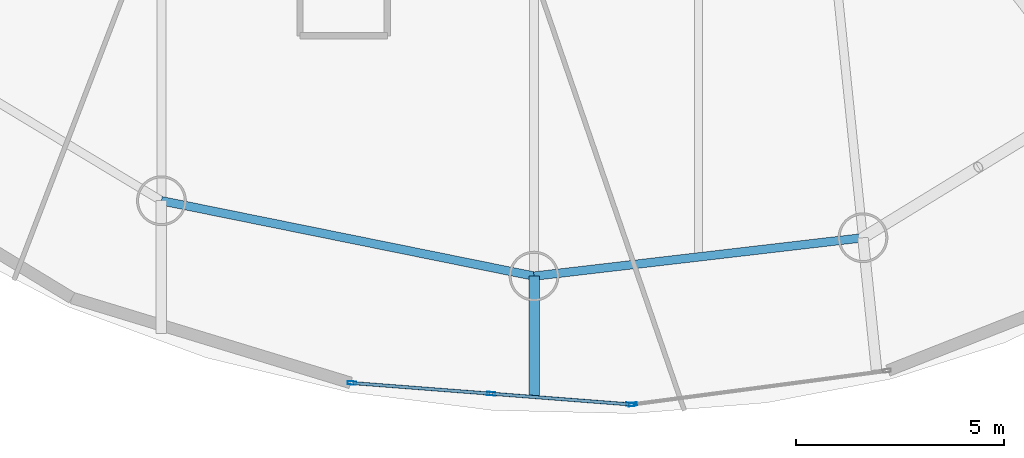
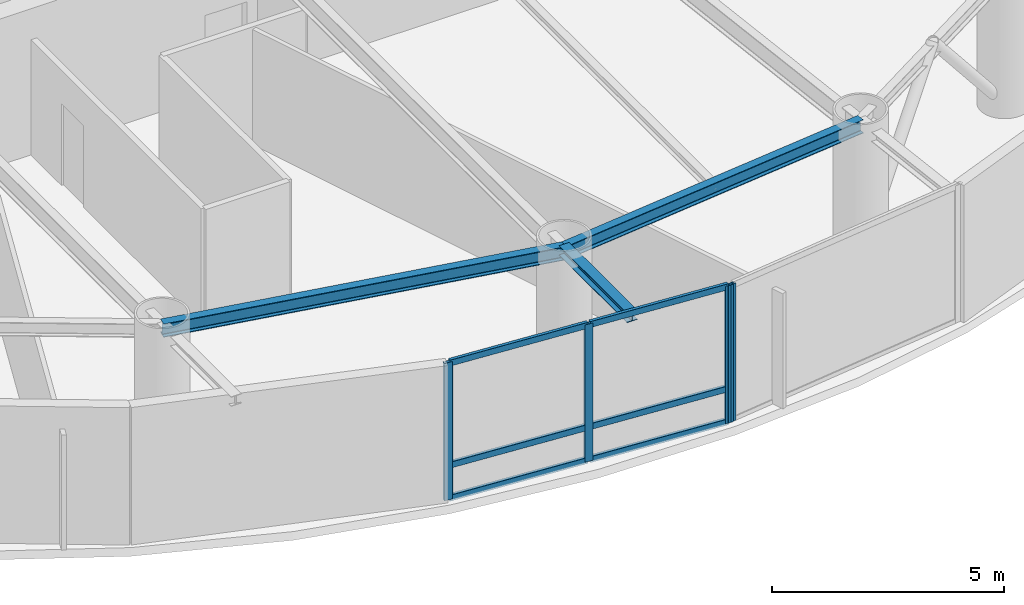
# One storey, part 2 of 21: 10 members, 3 beams, 2 elements without a shape of their own.
"""IFC4 building model written with IfcOpenShell, lengths in metres."""

import ifcopenshell
import ifcopenshell.guid

model = None  # the IFC model being written
_history = None  # IfcOwnerHistory: only IFC2X3 demands one
_inside = {}  # id of a spatial element -> (the spatial element, [elements in it])
_under = {}  # id of a project, library or spatial element -> (it, [spatial elements below it])
_declared = {}  # id of a project -> (the project, [libraries it declares])
_typed = {}  # id of a type object -> (the type object, [elements of that type])
_made_of = {}  # id of a material, layer set ... -> (it, [elements and type objects made of it])


def new_model(schema):
    """Start an empty IFC model of exactly this schema.

    Asked for "IFC4X3", IfcOpenShell would pick the latest addendum, in which some entities
    have other attributes; the version numbers below select the first issue.
    IFC2X3 requires an IfcOwnerHistory on every rooted entity: one is made here for all.
    """
    global model, _history
    if schema == "IFC4X3":
        model = ifcopenshell.file(schema_version=(4, 3, 0, 0))
    else:
        model = ifcopenshell.file(schema=schema)
    _inside.clear()
    _under.clear()
    _declared.clear()
    _typed.clear()
    _made_of.clear()
    _history = None
    if model.schema == "IFC2X3":
        org = make("IfcOrganization", Name="unknown")
        user = make(
            "IfcPersonAndOrganization",
            ThePerson=make("IfcPerson", FamilyName="unknown"),
            TheOrganization=org,
        )
        app = make(
            "IfcApplication",
            ApplicationDeveloper=org,
            Version="unknown",
            ApplicationFullName="unknown",
            ApplicationIdentifier="unknown",
        )
        _history = make(
            "IfcOwnerHistory",
            OwningUser=user,
            OwningApplication=app,
            ChangeAction="ADDED",
            CreationDate=0,
        )
    return model


def make(cls, **values):
    """One entity of the class cls with the attributes given. An attribute that is None is left unset."""
    return model.create_entity(
        cls, **{name: value for name, value in values.items() if value is not None}
    )


def rooted(cls, **values):
    """An entity with a GlobalId (a new one), such as an element, a storey or a relation."""
    return make(cls, GlobalId=ifcopenshell.guid.new(), OwnerHistory=_history, **values)


def si_unit(unit_type, name, prefix=None):
    """IfcSIUnit, for example si_unit("LENGTHUNIT", "METRE", prefix="MILLI")."""
    return make("IfcSIUnit", UnitType=unit_type, Prefix=prefix, Name=name)


def assignment(units):
    """IfcUnitAssignment: the units of a project."""
    return None if units is None else make("IfcUnitAssignment", Units=units)


def point(xyz):
    """IfcCartesianPoint."""
    return None if xyz is None else make("IfcCartesianPoint", Coordinates=xyz)


def direction(xyz):
    """IfcDirection."""
    return None if xyz is None else make("IfcDirection", DirectionRatios=xyz)


def frame(location, z_axis=None, x_axis=None):
    """IfcAxis2Placement3D, a coordinate frame: its origin and axes. An axis left out is left unset."""
    return make(
        "IfcAxis2Placement3D",
        Location=point(location),
        Axis=direction(z_axis),
        RefDirection=direction(x_axis),
    )


def frame_2d(location, x_axis=None):
    """IfcAxis2Placement2D, a coordinate frame in the plane: its origin and x axis."""
    return make(
        "IfcAxis2Placement2D", Location=point(location), RefDirection=direction(x_axis)
    )


def origin():
    """The frame at (0, 0, 0) with its axes left unset."""
    return frame((0.0, 0.0, 0.0))


def origin_2d():
    """The frame at (0, 0) in the plane with its x axis left unset."""
    return frame_2d((0.0, 0.0))


def place(relative_to, where):
    """IfcLocalPlacement: puts the frame where relative to a parent placement (None: the world)."""
    return make(
        "IfcLocalPlacement", PlacementRelTo=relative_to, RelativePlacement=where
    )


def context(
    kind, dimensions, precision=None, world=None, true_north=None, identifier=None
):
    """IfcGeometricRepresentationContext, for example the 3D "Model" context."""
    return make(
        "IfcGeometricRepresentationContext",
        ContextIdentifier=identifier,
        ContextType=kind,
        CoordinateSpaceDimension=dimensions,
        Precision=precision,
        WorldCoordinateSystem=world,
        TrueNorth=true_north,
    )


def subcontext(parent, identifier, kind, view, scale=None):
    """IfcGeometricRepresentationSubContext, for example "Body" below "Model"."""
    return make(
        "IfcGeometricRepresentationSubContext",
        ContextIdentifier=identifier,
        ContextType=kind,
        ParentContext=parent,
        TargetScale=scale,
        TargetView=view,
    )


def project(units=None, contexts=None):
    """IfcProject with its units and contexts."""
    return rooted(
        "IfcProject",
        Name="project",
        RepresentationContexts=contexts,
        UnitsInContext=assignment(units),
    )


def spatial(cls, under=None, at=None, **own):
    """A site, building, storey or space (cls), placed at a placement, below another one or the project."""
    s = rooted(cls, ObjectPlacement=at, **own)
    if under is not None:
        _under.setdefault(under.id(), (under, []))[1].append(s)
    return s


def profile(cls, at=None, kind="AREA", **sizes):
    """A parametric profile (cls). Its sizes go by their IFC names, for example OverallWidth=200.0."""
    return make(cls, ProfileType=kind, Position=at, **sizes)


def hollow_rectangle(**sizes):
    """IfcRectangleHollowProfileDef."""
    return profile("IfcRectangleHollowProfileDef", **sizes)


def i_section(**sizes):
    """IfcIShapeProfileDef."""
    return profile("IfcIShapeProfileDef", **sizes)


def extrude(swept, where, along, depth):
    """IfcExtrudedAreaSolid: the profile swept, set in the frame where, extruded along a direction by depth."""
    return make(
        "IfcExtrudedAreaSolid",
        SweptArea=swept,
        Position=where,
        ExtrudedDirection=direction(along),
        Depth=depth,
    )


def shape(context_of_items, identifier, shape_type, items):
    """IfcShapeRepresentation: the items that make up one representation, for example the "Body"."""
    return make(
        "IfcShapeRepresentation",
        ContextOfItems=context_of_items,
        RepresentationIdentifier=identifier,
        RepresentationType=shape_type,
        Items=items,
    )


def material(Name=None, Category=None):
    """IfcMaterial."""
    return make("IfcMaterial", Name=Name, Category=Category)


def layer(
    of_material, thickness, ventilated=None, Name=None, Category=None, Priority=None
):
    """IfcMaterialLayer: one layer of a wall or slab, of a material (None: an air gap)."""
    return make(
        "IfcMaterialLayer",
        Material=of_material,
        LayerThickness=thickness,
        IsVentilated=ventilated,
        Name=Name,
        Category=Category,
        Priority=Priority,
    )


def layer_set(layers, Name=None):
    """IfcMaterialLayerSet."""
    return make("IfcMaterialLayerSet", MaterialLayers=layers, LayerSetName=Name)


def material_profile(
    of_material, cross_section, Name=None, Category=None, Priority=None
):
    """IfcMaterialProfile: a cross section and its material."""
    return make(
        "IfcMaterialProfile",
        Name=Name,
        Material=of_material,
        Profile=cross_section,
        Priority=Priority,
        Category=Category,
    )


def profile_set(profiles, Name=None, composite=None):
    """IfcMaterialProfileSet."""
    return make(
        "IfcMaterialProfileSet",
        Name=Name,
        MaterialProfiles=profiles,
        CompositeProfile=composite,
    )


def made_of(thing, what):
    """Note that an element or type object is made of a material, layer set ...; save() writes the relation."""
    if what is not None:
        _made_of.setdefault(what.id(), (what, []))[1].append(thing)
    return thing


def type_object(cls, material=None, **own):
    """A type object (cls), such as IfcWallType, which elements share."""
    return made_of(rooted(cls, **own), material)


def element(
    cls,
    number,
    at=None,
    inside=None,
    cuts=None,
    type_object=None,
    material=None,
    context=None,
    identifier="Body",
    shape_type=None,
    held_by="IfcProductDefinitionShape",
    body=None,
    shapes=None,
    **own,
):
    """One element of the class cls, such as IfcWall. Its Tag is "e" and its number.

    at: its placement. inside: the storey or other place that contains it. cuts: it is an
    opening in that element (IfcRelVoidsElement). A single representation is given by context,
    identifier, shape_type and body (its items); several are given by shapes. held_by: the class
    of the entity that holds the representations. save() writes the other relations.
    """
    e = rooted(cls, Tag="e%d" % number, ObjectPlacement=at, **own)
    if body is not None:
        shapes = [shape(context, identifier, shape_type, body)]
    if shapes is not None:
        e.Representation = make(held_by, Representations=shapes)
    if inside is not None:
        _inside.setdefault(inside.id(), (inside, []))[1].append(e)
    if cuts is not None:
        rooted(
            "IfcRelVoidsElement", RelatingBuildingElement=cuts, RelatedOpeningElement=e
        )
    if type_object is not None:
        _typed.setdefault(type_object.id(), (type_object, []))[1].append(e)
    return made_of(e, material)


def aggregate(whole, parts):
    """IfcRelAggregates: a whole, such as a stair, and the parts it consists of."""
    return rooted("IfcRelAggregates", RelatingObject=whole, RelatedObjects=parts)


def save(model, path):
    """Write the relations noted so far, then the file.

    IfcRelAggregates (storeys below a building ...), IfcRelContainedInSpatialStructure (elements
    in a storey), IfcRelDefinesByType, IfcRelAssociatesMaterial and IfcRelDeclares: one each for
    every whole, place, type object, material and project.
    """
    for whole, parts in _under.values():
        aggregate(whole, parts)
    for where, things in _inside.values():
        rooted(
            "IfcRelContainedInSpatialStructure",
            RelatedElements=things,
            RelatingStructure=where,
        )
    for kind, things in _typed.values():
        rooted("IfcRelDefinesByType", RelatedObjects=things, RelatingType=kind)
    for what, things in _made_of.values():
        rooted("IfcRelAssociatesMaterial", RelatedObjects=things, RelatingMaterial=what)
    for by, libraries in _declared.values():
        rooted("IfcRelDeclares", RelatingContext=by, RelatedDefinitions=libraries)
    model.write(path)


model = new_model("IFC4")

# Units and contexts
model_context = context("Model", 3, precision=1e-05, world=origin(), true_north=direction((0.0, 1.0)))
body_context = subcontext(model_context, "Body", "Model", "MODEL_VIEW")
ifc_project = project(units=[si_unit("LENGTHUNIT", "METRE"), si_unit("AREAUNIT", "SQUARE_METRE"), si_unit("VOLUMEUNIT", "CUBIC_METRE"), si_unit("PLANEANGLEUNIT", "RADIAN"), si_unit("MASSUNIT", "GRAM", prefix="KILO")], contexts=[model_context])

# Site, building, storey
site_placement = place(None, origin())
site = spatial("IfcSite", under=ifc_project, at=site_placement, CompositionType="ELEMENT")
building_placement = place(site_placement, origin())
building = spatial("IfcBuilding", under=site, at=building_placement, Name="Bramvorn Convention Spire", CompositionType="ELEMENT")
storey_placement = place(building_placement, frame((0.0, 0.0, 186.60009765625)))
storey = spatial("IfcBuildingStorey", under=building, at=storey_placement, Name="L47", CompositionType="ELEMENT", Elevation=186.60009765625)

# Beams
ifc_material_1 = material(Name="Steel CSA G40.21 Grade 350 (350W)", Category="steel")
ifc_material_profile_1 = material_profile(ifc_material_1, i_section(OverallWidth=0.25390625, OverallDepth=0.2529296875, WebThickness=0.008544921875, FlangeThickness=0.01416015625, FilletRadius=0.011962890625, at=origin_2d()))
ifc_profile_set_1 = profile_set([ifc_material_profile_1], Name="Steel CSA G40.21 Grade 350 (350W) - W250X73")
beam_type_1 = type_object("IfcBeamType", Name="BM-W250X73", PredefinedType="BEAM", material=ifc_profile_set_1)
beam_1_placement = place(storey_placement, frame((42.583740234375, 5.41162109375, 3.493408203125), z_axis=(0.0, -1.0, 0.0), x_axis=(1.0, 0.0, 0.0)))
element("IfcBeam", 1, at=beam_1_placement, inside=storey, type_object=beam_type_1, Name="L47 slab-edge cantilever tip beam MC15", PredefinedType="BEAM", context=body_context, shape_type="SweptSolid", body=[
    extrude(i_section(OverallWidth=0.25390625, OverallDepth=0.2529296875, WebThickness=0.008544921875, FlangeThickness=0.01416015625, FilletRadius=0.011962890625, at=origin_2d()), origin(), (0.0, 0.0, 1.0), 2.935302734375),
])
ifc_material_profile_2 = material_profile(ifc_material_1, i_section(OverallWidth=0.205078125, OverallDepth=0.35400390625, WebThickness=0.009521484375, FlangeThickness=0.016845703125, FilletRadius=0.014892578125, at=origin_2d()))
ifc_profile_set_2 = profile_set([ifc_material_profile_2], Name="Steel CSA G40.21 Grade 350 (350W) - W360X79")
beam_type_2 = type_object("IfcBeamType", Name="BM-W360X79", PredefinedType="JOIST", material=ifc_profile_set_2)
beam_2_placement = place(storey_placement, frame((33.61083984375, 7.227783203125, 3.44287109375), z_axis=(0.980124701676, -0.198382381187, 0.0), x_axis=(0.198382381187, 0.980124701676, 0.0)))
element("IfcBeam", 2, at=beam_2_placement, inside=storey, type_object=beam_type_2, Name="L47 mega-column ring beam 14", PredefinedType="JOIST", context=body_context, shape_type="SweptSolid", body=[
    extrude(i_section(OverallWidth=0.205078125, OverallDepth=0.35400390625, WebThickness=0.009521484375, FlangeThickness=0.016845703125, FilletRadius=0.014892578125, at=origin_2d()), origin(), (0.0, 0.0, 1.0), 9.15478515625),
])
beam_3_placement = place(storey_placement, frame((42.583740234375, 5.41162109375, 3.44287109375), z_axis=(0.993256148339, 0.115940604561, 0.0), x_axis=(-0.115940604561, 0.993256148339, 0.0)))
element("IfcBeam", 3, at=beam_3_placement, inside=storey, type_object=beam_type_2, Name="L47 mega-column ring beam 15", PredefinedType="JOIST", context=body_context, shape_type="SweptSolid", body=[
    extrude(i_section(OverallWidth=0.205078125, OverallDepth=0.35400390625, WebThickness=0.009521484375, FlangeThickness=0.016845703125, FilletRadius=0.014892578125, at=origin_2d()), origin(), (0.0, 0.0, 1.0), 7.974365234375),
])

# Curtain wall, members
ifc_material_2 = material(Name="Anodised Bronze Unitised Curtain Wall", Category="aluminium")
ifc_layer = layer(ifc_material_2, 0.179931640625)
ifc_layer_set = layer_set([ifc_layer], Name="Anodised Bronze Unitised Curtain Wall - CW-OFF-FRIT")
curtain_wall_type = type_object("IfcCurtainWallType", Name="CW-OFF-FRIT", PredefinedType="USERDEFINED", material=ifc_layer_set)
curtain_wall_1_placement = place(storey_placement, origin())
curtain_wall_1 = element("IfcCurtainWall", 4, at=curtain_wall_1_placement, inside=storey, type_object=curtain_wall_type, Name="L47 fritted glass curtain wall 21", ObjectType="UNITISED CURTAIN WALL", PredefinedType="USERDEFINED")
ifc_material_3 = material(Name="Anodised Bronze Aluminium 6063-T6", Category="aluminium")
ifc_material_profile_3 = material_profile(ifc_material_3, hollow_rectangle(XDim=0.080078125, YDim=0.199951171875, WallThickness=0.00390625, InnerFilletRadius=0.0009765625, OuterFilletRadius=0.00390625, at=origin_2d()))
ifc_profile_set_3 = profile_set([ifc_material_profile_3], Name="Anodised Bronze Aluminium 6063-T6 - CWM80X200")
member_type_1 = type_object("IfcMemberType", Name="CW-MUL-180", PredefinedType="MULLION", material=ifc_profile_set_3)
member_1_placement = place(storey_placement, frame((44.903076171875, 2.322509765625, 0.0), z_axis=(0.0, 0.0, 1.0), x_axis=(-0.07665930368, -0.997057345973, 0.0)))
member_1 = element("IfcMember", 5, at=member_1_placement, type_object=member_type_1, Name="CW3 mullion 1", PredefinedType="MULLION", context=body_context, shape_type="SweptSolid", body=[
    extrude(hollow_rectangle(XDim=0.080078125, YDim=0.199951171875, WallThickness=0.00390625, InnerFilletRadius=0.0009765625, OuterFilletRadius=0.00390625, at=origin_2d()), origin(), (0.0, 0.0, 1.0), 3.619873046875),
])
member_2_placement = place(storey_placement, frame((41.550537109375, 2.580322265625, 0.0), z_axis=(0.0, 0.0, 1.0), x_axis=(-0.07665930368, -0.997057345973, 0.0)))
member_2 = element("IfcMember", 6, at=member_2_placement, type_object=member_type_1, Name="CW3 mullion 2", PredefinedType="MULLION", context=body_context, shape_type="SweptSolid", body=[
    extrude(hollow_rectangle(XDim=0.080078125, YDim=0.199951171875, WallThickness=0.00390625, InnerFilletRadius=0.0009765625, OuterFilletRadius=0.00390625, at=origin_2d()), origin(), (0.0, 0.0, 1.0), 3.619873046875),
])
member_3_placement = place(storey_placement, frame((38.1982421875, 2.838134765625, 0.0), z_axis=(0.0, 0.0, 1.0), x_axis=(-0.07665930368, -0.997057345973, 0.0)))
member_3 = element("IfcMember", 7, at=member_3_placement, type_object=member_type_1, Name="CW3 mullion 3", PredefinedType="MULLION", context=body_context, shape_type="SweptSolid", body=[
    extrude(hollow_rectangle(XDim=0.080078125, YDim=0.199951171875, WallThickness=0.00390625, InnerFilletRadius=0.0009765625, OuterFilletRadius=0.00390625, at=origin_2d()), origin(), (0.0, 0.0, 1.0), 3.619873046875),
])

# Curtain wall, member
curtain_wall_2_placement = place(storey_placement, origin())
curtain_wall_2 = element("IfcCurtainWall", 8, at=curtain_wall_2_placement, inside=storey, type_object=curtain_wall_type, Name="L47 fritted glass curtain wall 22", ObjectType="UNITISED CURTAIN WALL", PredefinedType="USERDEFINED")
member_4_placement = place(storey_placement, frame((44.962646484375, 2.32421875, 0.0), z_axis=(0.0, 0.0, 1.0), x_axis=(0.131023252248, -0.991379295411, 0.0)))
member_4 = element("IfcMember", 9, at=member_4_placement, type_object=member_type_1, Name="CW3 mullion 2", PredefinedType="MULLION", context=body_context, shape_type="SweptSolid", body=[
    extrude(hollow_rectangle(XDim=0.080078125, YDim=0.199951171875, WallThickness=0.00390625, InnerFilletRadius=0.0009765625, OuterFilletRadius=0.00390625, at=origin_2d()), origin(), (0.0, 0.0, 1.0), 3.619873046875),
])
aggregate(curtain_wall_2, [member_4])

# Member
ifc_material_profile_4 = material_profile(ifc_material_3, hollow_rectangle(XDim=0.080078125, YDim=0.159912109375, WallThickness=0.00390625, InnerFilletRadius=0.0009765625, OuterFilletRadius=0.00390625, at=origin_2d()))
ifc_profile_set_4 = profile_set([ifc_material_profile_4], Name="Anodised Bronze Aluminium 6063-T6 - CWT80X160")
member_type_2 = type_object("IfcMemberType", Name="CW-TRN-150", PredefinedType="USERDEFINED", material=ifc_profile_set_4)
member_5_placement = place(storey_placement, frame((44.873046875, 2.324951171875, 0.02978515625), z_axis=(-0.997056659593, 0.076668230461, 0.0), x_axis=(-0.076668230461, -0.997056659593, 0.0)))
member_5 = element("IfcMember", 10, at=member_5_placement, type_object=member_type_2, Name="CW3 transom 1.1", ObjectType="TRANSOM", PredefinedType="USERDEFINED", context=body_context, shape_type="SweptSolid", body=[
    extrude(hollow_rectangle(XDim=0.080078125, YDim=0.159912109375, WallThickness=0.00390625, InnerFilletRadius=0.0009765625, OuterFilletRadius=0.00390625, at=origin_2d()), origin(), (0.0, 0.0, 1.0), 3.30224609375),
])

member_6_placement = place(storey_placement, frame((44.873046875, 2.324951171875, 0.89990234375), z_axis=(-0.997056659593, 0.076668230461, 0.0), x_axis=(-0.076668230461, -0.997056659593, 0.0)))
member_6 = element("IfcMember", 11, at=member_6_placement, type_object=member_type_2, Name="CW3 transom 1.2", ObjectType="TRANSOM", PredefinedType="USERDEFINED", context=body_context, shape_type="SweptSolid", body=[
    extrude(hollow_rectangle(XDim=0.080078125, YDim=0.159912109375, WallThickness=0.00390625, InnerFilletRadius=0.0009765625, OuterFilletRadius=0.00390625, at=origin_2d()), origin(), (0.0, 0.0, 1.0), 3.30224609375),
])

member_7_placement = place(storey_placement, frame((44.873046875, 2.324951171875, 3.58984375), z_axis=(-0.997056659593, 0.076668230461, 0.0), x_axis=(-0.076668230461, -0.997056659593, 0.0)))
member_7 = element("IfcMember", 12, at=member_7_placement, type_object=member_type_2, Name="CW3 transom 1.3", ObjectType="TRANSOM", PredefinedType="USERDEFINED", context=body_context, shape_type="SweptSolid", body=[
    extrude(hollow_rectangle(XDim=0.080078125, YDim=0.159912109375, WallThickness=0.00390625, InnerFilletRadius=0.0009765625, OuterFilletRadius=0.00390625, at=origin_2d()), origin(), (0.0, 0.0, 1.0), 3.30224609375),
])

member_8_placement = place(storey_placement, frame((41.520751953125, 2.582763671875, 0.02978515625), z_axis=(-0.997062742222, 0.076589085856, 0.0), x_axis=(-0.076589085856, -0.997062742222, 0.0)))
member_8 = element("IfcMember", 13, at=member_8_placement, type_object=member_type_2, Name="CW3 transom 2.1", ObjectType="TRANSOM", PredefinedType="USERDEFINED", context=body_context, shape_type="SweptSolid", body=[
    extrude(hollow_rectangle(XDim=0.080078125, YDim=0.159912109375, WallThickness=0.00390625, InnerFilletRadius=0.0009765625, OuterFilletRadius=0.00390625, at=origin_2d()), origin(), (0.0, 0.0, 1.0), 3.302490234375),
])

member_9_placement = place(storey_placement, frame((41.520751953125, 2.582763671875, 0.89990234375), z_axis=(-0.997062742222, 0.076589085856, 0.0), x_axis=(-0.076589085856, -0.997062742222, 0.0)))
member_9 = element("IfcMember", 14, at=member_9_placement, type_object=member_type_2, Name="CW3 transom 2.2", ObjectType="TRANSOM", PredefinedType="USERDEFINED", context=body_context, shape_type="SweptSolid", body=[
    extrude(hollow_rectangle(XDim=0.080078125, YDim=0.159912109375, WallThickness=0.00390625, InnerFilletRadius=0.0009765625, OuterFilletRadius=0.00390625, at=origin_2d()), origin(), (0.0, 0.0, 1.0), 3.302490234375),
])

member_10_placement = place(storey_placement, frame((41.520751953125, 2.582763671875, 3.58984375), z_axis=(-0.997062742222, 0.076589085856, 0.0), x_axis=(-0.076589085856, -0.997062742222, 0.0)))
member_10 = element("IfcMember", 15, at=member_10_placement, type_object=member_type_2, Name="CW3 transom 2.3", ObjectType="TRANSOM", PredefinedType="USERDEFINED", context=body_context, shape_type="SweptSolid", body=[
    extrude(hollow_rectangle(XDim=0.080078125, YDim=0.159912109375, WallThickness=0.00390625, InnerFilletRadius=0.0009765625, OuterFilletRadius=0.00390625, at=origin_2d()), origin(), (0.0, 0.0, 1.0), 3.302490234375),
])

aggregate(curtain_wall_1, [member_1, member_2, member_3, member_5, member_6, member_7, member_8, member_9, member_10])

save(model, "model.ifc")
